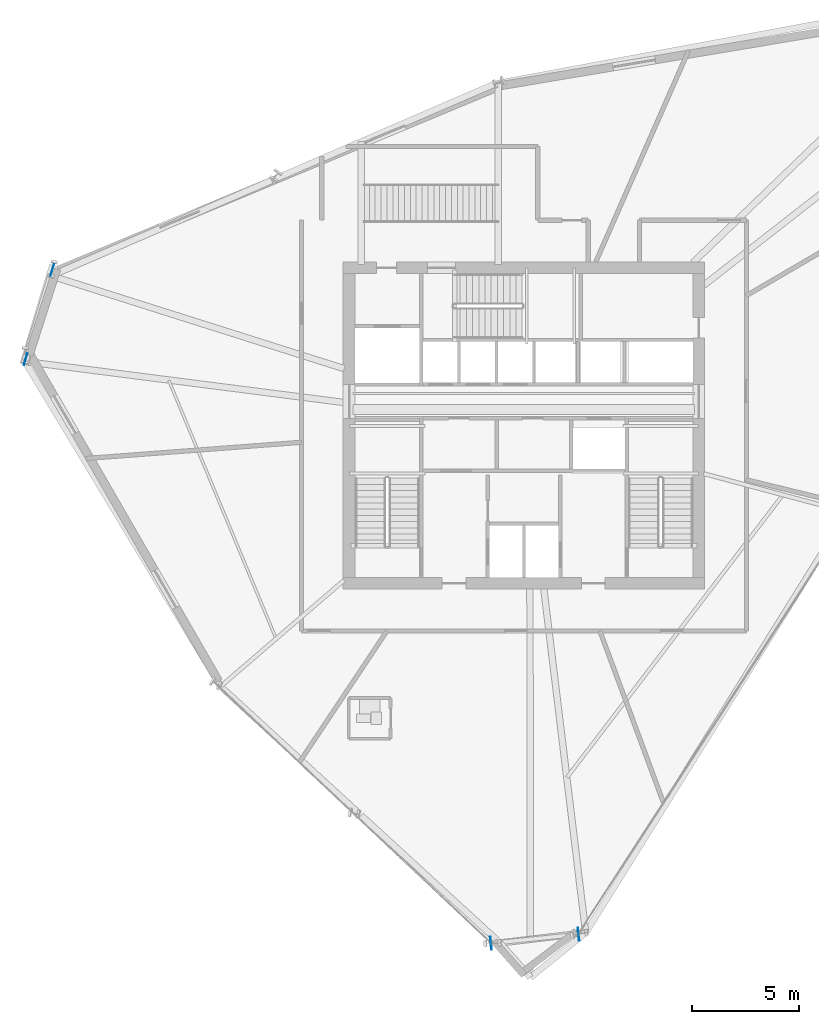
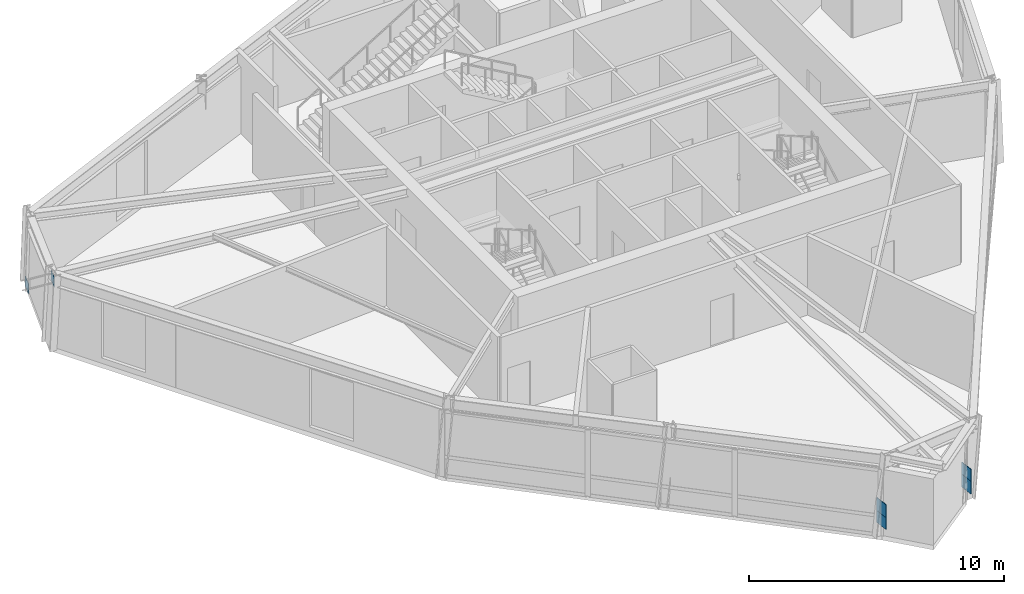
# One storey, part 7 of 14: 6 plates.
"""IFC4 building model written with IfcOpenShell, lengths in metres."""

from ifc_helpers import new_model, si_unit, direction, frame, origin, origin_2d, place, context, subcontext, project, spatial, rectangle, extrude, source, transform, mapped, material, type_object, element, save


model = new_model("IFC4")

# Units and contexts
model_context = context("Model", 3, precision=1e-05, world=origin(), true_north=direction((0.0, 1.0)))
body_context = subcontext(model_context, "Body", "Model", "MODEL_VIEW")
ifc_project = project(units=[si_unit("LENGTHUNIT", "METRE"), si_unit("AREAUNIT", "SQUARE_METRE"), si_unit("VOLUMEUNIT", "CUBIC_METRE"), si_unit("PLANEANGLEUNIT", "RADIAN"), si_unit("MASSUNIT", "GRAM", prefix="KILO")], contexts=[model_context])

# Site, building, storey
site_placement = place(None, origin())
site = spatial("IfcSite", under=ifc_project, at=site_placement, CompositionType="ELEMENT")
building_placement = place(site_placement, origin())
building = spatial("IfcBuilding", under=site, at=building_placement, Name="Olszyna Solenne Hotel", CompositionType="ELEMENT")
storey_placement = place(building_placement, frame((0.0, 0.0, 196.300048828125)))
storey = spatial("IfcBuildingStorey", under=building, at=storey_placement, Name="L52", CompositionType="ELEMENT", Elevation=196.300048828125)

# Plates
ifc_material_1 = material(Name="Steel S460M", Category="steel")
plate_type_1 = type_object("IfcPlateType", Name="GP-CAP2", PredefinedType="USERDEFINED", material=ifc_material_1)
shared_shape_1 = source(origin(), body_context, "Body", "SweptSolid", [
    extrude(rectangle(XDim=0.030029296875, YDim=0.6201171875, at=origin_2d()), origin(), (0.0, 0.0, 1.0), 0.6201171875),
])
for number, where, z_axis, x_axis, name in (
    (1, (36.457275390625, 2.397705078125, 1.039794921875), (0.0, 0.0, 1.0), (0.994702817117, 0.102792536787, 0.0), "Hollow section end-cap plate GP-CAP2 CP-PR-M-L52-PR1-1"),
    (2, (40.552001953125, 2.82080078125, 1.039794921875), (0.0, 0.0, 1.0), (0.994702817117, 0.102792536787, 0.0), "Hollow section end-cap plate GP-CAP2 CP-PR-M-L52-PR1-2"),
    (3, (36.457275390625, 2.397705078125, 0.469970703125), (0.0, 0.0, 1.0), (0.994702817117, 0.102792536787, 0.0), "Hollow section end-cap plate GP-CAP2 CP-PR-M-L52-PR2-1"),
    (4, (40.552001953125, 2.82080078125, 0.469970703125), (0.0, 0.0, 1.0), (0.994702817117, 0.102792536787, 0.0), "Hollow section end-cap plate GP-CAP2 CP-PR-M-L52-PR2-2"),
):
    element("IfcPlate", number, at=place(storey_placement, frame(where, z_axis=z_axis, x_axis=x_axis)), inside=storey, type_object=plate_type_1, Name=name, ObjectType="GUSSET_PLATE", PredefinedType="USERDEFINED", context=body_context, shape_type="MappedRepresentation", body=[
        mapped(shared_shape_1, transform((0.0, 0.0, 0.0), x_axis=(1.0, 0.0, 0.0), y_axis=(0.0, 1.0, 0.0), z_axis=(0.0, 0.0, 1.0), scale=1.0)),
    ])
ifc_material_2 = material(Name="Steel S355J2", Category="steel")
plate_type_2 = type_object("IfcPlateType", Name="GP-ND2", PredefinedType="USERDEFINED", material=ifc_material_2)
shared_shape_2 = source(origin(), body_context, "Body", "SweptSolid", [
    extrude(rectangle(XDim=0.56005859375, YDim=0.02001953125, at=origin_2d()), origin(), (0.0, 0.0, 1.0), 0.47998046875),
])
for number, where, z_axis, x_axis, name in (
    (5, (15.947998046875, 33.8701171875, -0.14599609375), (0.0, 0.0, 1.0), (-0.285521104212, -0.958372421895, 0.0), "Brace end connection gusset plate GP-ND2 EP-BR-L52-2-1"),
    (6, (14.705322265625, 29.69921875, 3.1259765625), (0.0, 0.0, 1.0), (-0.285521104212, -0.958372421895, 0.0), "Brace end connection gusset plate GP-ND2 EP-BR-L52-2-2"),
):
    element("IfcPlate", number, at=place(storey_placement, frame(where, z_axis=z_axis, x_axis=x_axis)), inside=storey, type_object=plate_type_2, Name=name, ObjectType="GUSSET_PLATE", PredefinedType="USERDEFINED", context=body_context, shape_type="MappedRepresentation", body=[
        mapped(shared_shape_2, transform((0.0, 0.0, 0.0), x_axis=(1.0, 0.0, 0.0), y_axis=(0.0, 1.0, 0.0), z_axis=(0.0, 0.0, 1.0), scale=1.0)),
    ])

save(model, "model.ifc")
